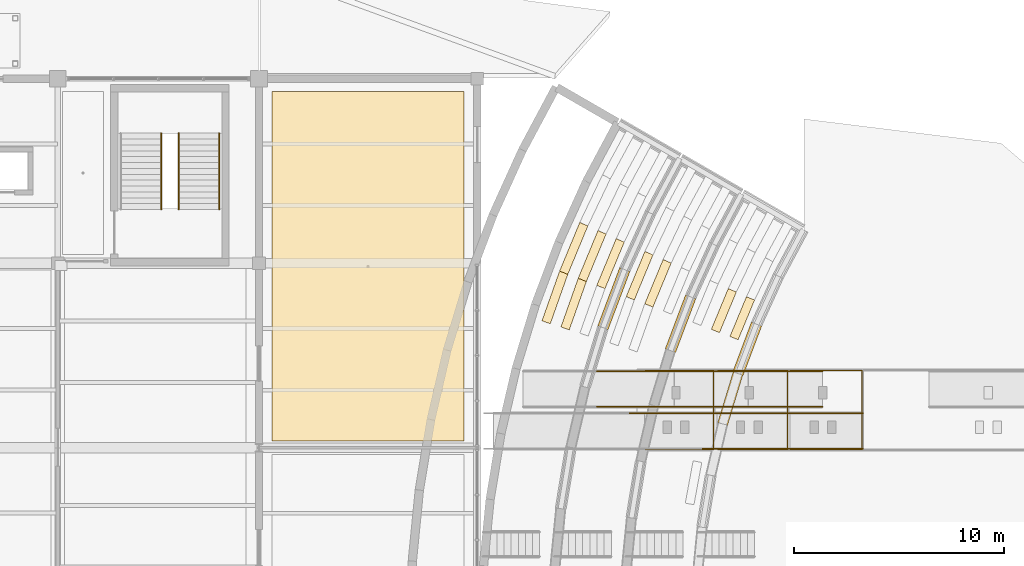
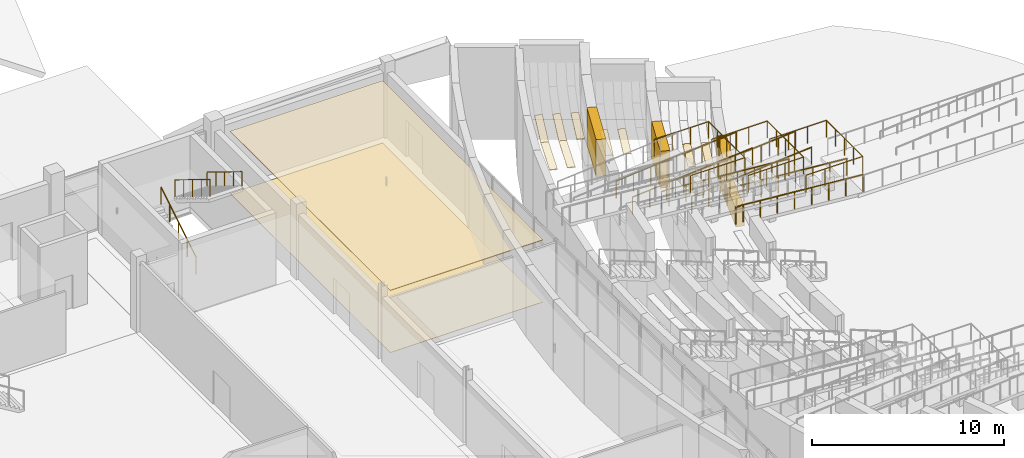
# One storey, part 114 of 116: 15 coverings, 13 railings, 5 elements without a shape of their own.
"""IFC4 building model written with IfcOpenShell, lengths in metres."""

from ifc_helpers import new_model, si_unit, direction, frame, origin, origin_2d, place, context, subcontext, project, spatial, polyline, circle, outline, extrude, material, layer, layer_set, type_object, element, aggregate, save


model = new_model("IFC4")

# Units and contexts
model_context = context("Model", 3, precision=1e-05, world=origin(), true_north=direction((0.0, 1.0)))
body_context = subcontext(model_context, "Body", "Model", "MODEL_VIEW")
ifc_project = project(units=[si_unit("LENGTHUNIT", "METRE"), si_unit("AREAUNIT", "SQUARE_METRE"), si_unit("VOLUMEUNIT", "CUBIC_METRE"), si_unit("PLANEANGLEUNIT", "RADIAN"), si_unit("MASSUNIT", "GRAM", prefix="KILO")], contexts=[model_context])

# Site, building, storey
site_placement = place(None, origin())
site = spatial("IfcSite", under=ifc_project, at=site_placement, CompositionType="ELEMENT")
building_placement = place(site_placement, origin())
building = spatial("IfcBuilding", under=site, at=building_placement, Name="Chalmorin Arch Market", CompositionType="ELEMENT")
storey_placement = place(building_placement, origin())
storey = spatial("IfcBuildingStorey", under=building, at=storey_placement, Name="L00", CompositionType="ELEMENT", Elevation=0.0)

# Covering
ifc_material_1 = material(Name="Mineral Fibre Acoustic Tile")
ifc_layer_1 = layer(ifc_material_1, 0.044921875)
ifc_layer_set_1 = layer_set([ifc_layer_1], Name="Mineral Fibre Acoustic Tile")
covering_type_1 = type_object("IfcCoveringType", Name="AcousticBaffleCeiling-45", PredefinedType="CEILING", material=ifc_layer_set_1)
covering_1_placement = place(storey_placement, frame((0.0, 0.0, 3.93505859375)))
element("IfcCovering", 1, at=covering_1_placement, inside=storey, type_object=covering_type_1, Name="CLG-01-089", PredefinedType="CEILING", context=body_context, shape_type="SweptSolid", body=[
    extrude(outline(polyline([(125.419921875, 41.52001953125), (134.580078125, 41.52001953125), (134.580078125, 58.179931640625), (125.419921875, 58.179931640625), (125.419921875, 41.52001953125)])), origin(), (0.0, 0.0, 1.0), 0.044921875),
])

# Stair, railings
ifc_material_2 = material(Name="Concrete C40/50", Category="concrete")
stair_type = type_object("IfcStairType", Name="DoglegExitStair-28R-SC4", PredefinedType="HALF_TURN_STAIR", material=ifc_material_2)
stair_placement = place(storey_placement, origin())
stair = element("IfcStair", 2, at=stair_placement, inside=storey, type_object=stair_type, Name="ST-09", PredefinedType="HALF_TURN_STAIR")
ifc_material_3 = material(Name="Stainless Steel 316", Category="steel")
ifc_layer_2 = layer(ifc_material_3, 0.048095703125)
ifc_layer_set_2 = layer_set([ifc_layer_2], Name="Stainless Steel 316")
railing_type_1 = type_object("IfcRailingType", Name="StairTubeHandrail-920", PredefinedType="HANDRAIL", material=ifc_layer_set_2)
railing_1_placement = place(storey_placement, frame((122.89990234375, 56.199951171875, 2.5712890625)))
railing_1 = element("IfcRailing", 3, at=railing_1_placement, type_object=railing_type_1, Name="HR-01-040", PredefinedType="HANDRAIL", context=body_context, shape_type="SweptSolid", body=[
    extrude(circle(Radius=0.02392578125, at=origin_2d()), frame((0.0, 0.0, 0.89599609375), z_axis=(0.0, -0.852824790078, 0.522197163366), x_axis=(1.0, 0.0, 0.0)), (0.0, 0.0, 1.0), 4.26806640625),
    extrude(circle(Radius=0.02099609375, at=origin_2d()), origin(), (0.0, 0.0, 1.0), 0.871826171875),
    extrude(circle(Radius=0.02099609375, at=origin_2d()), frame((0.0, -0.909912109375, 0.55712890625)), (0.0, 0.0, 1.0), 0.871826171875),
    extrude(circle(Radius=0.02099609375, at=origin_2d()), frame((0.0, -1.81982421875, 1.1142578125)), (0.0, 0.0, 1.0), 0.871826171875),
    extrude(circle(Radius=0.02099609375, at=origin_2d()), frame((0.0, -2.72998046875, 1.671630859375)), (0.0, 0.0, 1.0), 0.871826171875),
    extrude(circle(Radius=0.02099609375, at=origin_2d()), frame((0.0, -3.639892578125, 2.228759765625)), (0.0, 0.0, 1.0), 0.871826171875),
])
ifc_material_4 = material(Name="Galvanised Steel", Category="steel")
ifc_layer_3 = layer(ifc_material_4, 0.054931640625)
ifc_layer_set_3 = layer_set([ifc_layer_3], Name="Galvanised Steel")
railing_type_2 = type_object("IfcRailingType", Name="StairWellGuardrail-1100", PredefinedType="GUARDRAIL", material=ifc_layer_set_3)
railing_2_placement = place(storey_placement, frame((120.1298828125, 52.56005859375, 0.17138671875)))
railing_2 = element("IfcRailing", 4, at=railing_2_placement, type_object=railing_type_2, Name="SG-01-038", PredefinedType="GUARDRAIL", context=body_context, shape_type="SweptSolid", body=[
    extrude(circle(Radius=0.02392578125, at=origin_2d()), frame((0.0, 0.0, 1.076171875), z_axis=(0.0, 0.852850264322, 0.5221555579), x_axis=(-1.0, 0.0, 0.0)), (0.0, 0.0, 1.0), 4.267822265625),
    extrude(circle(Radius=0.02099609375, at=origin_2d()), origin(), (0.0, 0.0, 1.0), 1.052001953125),
    extrude(circle(Radius=0.02099609375, at=origin_2d()), frame((0.0, 0.909912109375, 0.55712890625)), (0.0, 0.0, 1.0), 1.052001953125),
    extrude(circle(Radius=0.02099609375, at=origin_2d()), frame((0.0, 1.81982421875, 1.1142578125)), (0.0, 0.0, 1.0), 1.052001953125),
    extrude(circle(Radius=0.02099609375, at=origin_2d()), frame((0.0, 2.72998046875, 1.67138671875)), (0.0, 0.0, 1.0), 1.052001953125),
    extrude(circle(Radius=0.02099609375, at=origin_2d()), frame((0.0, 3.639892578125, 2.228515625)), (0.0, 0.0, 1.0), 1.052001953125),
])
railing_3_placement = place(storey_placement, frame((120.969970703125, 56.199951171875, 2.5712890625)))
railing_3 = element("IfcRailing", 5, at=railing_3_placement, type_object=railing_type_2, Name="SG-01-039", PredefinedType="GUARDRAIL", context=body_context, shape_type="SweptSolid", body=[
    extrude(circle(Radius=0.02392578125, at=origin_2d()), frame((0.0, 0.0, 1.076171875), z_axis=(0.0, -0.852824790078, 0.522197163366), x_axis=(1.0, 0.0, 0.0)), (0.0, 0.0, 1.0), 4.26806640625),
    extrude(circle(Radius=0.02099609375, at=origin_2d()), origin(), (0.0, 0.0, 1.0), 1.052001953125),
    extrude(circle(Radius=0.02099609375, at=origin_2d()), frame((0.0, -0.909912109375, 0.55712890625)), (0.0, 0.0, 1.0), 1.052001953125),
    extrude(circle(Radius=0.02099609375, at=origin_2d()), frame((0.0, -1.81982421875, 1.1142578125)), (0.0, 0.0, 1.0), 1.052001953125),
    extrude(circle(Radius=0.02099609375, at=origin_2d()), frame((0.0, -2.72998046875, 1.671630859375)), (0.0, 0.0, 1.0), 1.052001953125),
    extrude(circle(Radius=0.02099609375, at=origin_2d()), frame((0.0, -3.639892578125, 2.228759765625)), (0.0, 0.0, 1.0), 1.052001953125),
])
aggregate(stair, [railing_2, railing_3, railing_1])

# Ramp, railings
ramp_type = type_object("IfcRampType", Name="AmphitheatreAccessibleRamp-1800", PredefinedType="HALF_TURN_RAMP", material=ifc_material_2)
ramp_1_placement = place(storey_placement, origin())
ramp_1 = element("IfcRamp", 6, at=ramp_1_placement, inside=storey, type_object=ramp_type, material=ifc_material_2, Name="RMP-02", PredefinedType="HALF_TURN_RAMP")
railing_4_placement = place(storey_placement, frame((153.59912109375, 41.159912109375, 0.60009765625)))
railing_4 = element("IfcRailing", 7, at=railing_4_placement, type_object=railing_type_2, Name="SG-01-154", PredefinedType="GUARDRAIL", context=body_context, shape_type="SweptSolid", body=[
    extrude(circle(Radius=0.02392578125, at=origin_2d()), frame((0.0, 0.0, 1.076171875), z_axis=(-0.996547622294, 0.0, 0.083023108232), x_axis=(0.0, -1.0, 0.0)), (0.0, 0.0, 1.0), 7.22509765625),
    extrude(circle(Radius=0.02392578125, at=origin_2d()), frame((-7.2001953125, 0.0, 1.67578125), z_axis=(-1.0, 0.0, 0.0), x_axis=(0.0, -1.0, 0.0)), (0.0, 0.0, 1.0), 0.449951171875),
    extrude(circle(Radius=0.02099609375, at=origin_2d()), origin(), (0.0, 0.0, 1.0), 1.052001953125),
    extrude(circle(Radius=0.02099609375, at=origin_2d()), frame((-1.028564453125, 0.0, 0.085693359375)), (0.0, 0.0, 1.0), 1.052001953125),
    extrude(circle(Radius=0.02099609375, at=origin_2d()), frame((-2.05712890625, 0.0, 0.17138671875)), (0.0, 0.0, 1.0), 1.052001953125),
    extrude(circle(Radius=0.02099609375, at=origin_2d()), frame((-3.085693359375, 0.0, 0.257080078125)), (0.0, 0.0, 1.0), 1.052001953125),
    extrude(circle(Radius=0.02099609375, at=origin_2d()), frame((-4.114501953125, 0.0, 0.3427734375)), (0.0, 0.0, 1.0), 1.052001953125),
    extrude(circle(Radius=0.02099609375, at=origin_2d()), frame((-5.14306640625, 0.0, 0.428466796875)), (0.0, 0.0, 1.0), 1.052001953125),
    extrude(circle(Radius=0.02099609375, at=origin_2d()), frame((-6.171630859375, 0.0, 0.51416015625)), (0.0, 0.0, 1.0), 1.052001953125),
    extrude(circle(Radius=0.02099609375, at=origin_2d()), frame((-7.2001953125, 0.0, 0.599853515625)), (0.0, 0.0, 1.0), 1.052001953125),
    extrude(circle(Radius=0.02099609375, at=origin_2d()), frame((-7.650146484375, 0.0, 0.599853515625)), (0.0, 0.0, 1.0), 1.052001953125),
])
railing_5_placement = place(storey_placement, frame((153.59912109375, 42.840087890625, 0.60009765625)))
railing_5 = element("IfcRailing", 8, at=railing_5_placement, type_object=railing_type_2, Name="SG-01-156", PredefinedType="GUARDRAIL", context=body_context, shape_type="SweptSolid", body=[
    extrude(circle(Radius=0.02392578125, at=origin_2d()), frame((0.0, 0.0, 1.076171875), z_axis=(-0.996547622294, 0.0, 0.083023108232), x_axis=(0.0, -1.0, 0.0)), (0.0, 0.0, 1.0), 7.22509765625),
    extrude(circle(Radius=0.02392578125, at=origin_2d()), frame((-7.2001953125, 0.0, 1.67578125), z_axis=(-1.0, 0.0, 0.0), x_axis=(0.0, -1.0, 0.0)), (0.0, 0.0, 1.0), 0.449951171875),
    extrude(circle(Radius=0.02099609375, at=origin_2d()), origin(), (0.0, 0.0, 1.0), 1.052001953125),
    extrude(circle(Radius=0.02099609375, at=origin_2d()), frame((-1.028564453125, 0.0, 0.085693359375)), (0.0, 0.0, 1.0), 1.052001953125),
    extrude(circle(Radius=0.02099609375, at=origin_2d()), frame((-2.05712890625, 0.0, 0.17138671875)), (0.0, 0.0, 1.0), 1.052001953125),
    extrude(circle(Radius=0.02099609375, at=origin_2d()), frame((-3.085693359375, 0.0, 0.257080078125)), (0.0, 0.0, 1.0), 1.052001953125),
    extrude(circle(Radius=0.02099609375, at=origin_2d()), frame((-4.114501953125, 0.0, 0.3427734375)), (0.0, 0.0, 1.0), 1.052001953125),
    extrude(circle(Radius=0.02099609375, at=origin_2d()), frame((-5.14306640625, 0.0, 0.428466796875)), (0.0, 0.0, 1.0), 1.052001953125),
    extrude(circle(Radius=0.02099609375, at=origin_2d()), frame((-6.171630859375, 0.0, 0.51416015625)), (0.0, 0.0, 1.0), 1.052001953125),
    extrude(circle(Radius=0.02099609375, at=origin_2d()), frame((-7.2001953125, 0.0, 0.599853515625)), (0.0, 0.0, 1.0), 1.052001953125),
    extrude(circle(Radius=0.02099609375, at=origin_2d()), frame((-7.650146484375, 0.0, 0.599853515625)), (0.0, 0.0, 1.0), 1.052001953125),
])
aggregate(ramp_1, [railing_4, railing_5])

ramp_2_placement = place(storey_placement, origin())
ramp_2 = element("IfcRamp", 9, at=ramp_2_placement, inside=storey, type_object=ramp_type, material=ifc_material_2, Name="RMP-04", PredefinedType="HALF_TURN_RAMP")
railing_6_placement = place(storey_placement, frame((150.14501953125, 41.110107421875, 1.800048828125)))
railing_6 = element("IfcRailing", 10, at=railing_6_placement, type_object=railing_type_2, Name="SG-01-162", PredefinedType="GUARDRAIL", context=body_context, shape_type="SweptSolid", body=[
    extrude(circle(Radius=0.02392578125, at=origin_2d()), frame((0.0, 0.0, 1.076171875), z_axis=(1.0, 0.0, 0.0), x_axis=(0.0, 1.0, 0.0)), (0.0, 0.0, 1.0), 3.407958984375),
    extrude(circle(Radius=0.02392578125, at=origin_2d()), frame((3.407958984375, 0.0, 1.076171875), z_axis=(0.0, 1.0, 0.0), x_axis=(-1.0, 0.0, 0.0)), (0.0, 0.0, 1.0), 3.77978515625),
    extrude(circle(Radius=0.02392578125, at=origin_2d()), frame((3.407958984375, 3.77978515625, 1.076171875), z_axis=(-1.0, 0.0, 0.0), x_axis=(0.0, -1.0, 0.0)), (0.0, 0.0, 1.0), 3.407958984375),
    extrude(circle(Radius=0.02099609375, at=origin_2d()), origin(), (0.0, 0.0, 1.0), 1.052001953125),
    extrude(circle(Radius=0.02099609375, at=origin_2d()), frame((1.135986328125, 0.0, 0.0)), (0.0, 0.0, 1.0), 1.052001953125),
    extrude(circle(Radius=0.02099609375, at=origin_2d()), frame((2.27197265625, 0.0, 0.0)), (0.0, 0.0, 1.0), 1.052001953125),
    extrude(circle(Radius=0.02099609375, at=origin_2d()), frame((3.407958984375, 0.0, 0.0)), (0.0, 0.0, 1.0), 1.052001953125),
    extrude(circle(Radius=0.02099609375, at=origin_2d()), frame((3.407958984375, 0.94482421875, 0.0)), (0.0, 0.0, 1.0), 1.052001953125),
    extrude(circle(Radius=0.02099609375, at=origin_2d()), frame((3.407958984375, 1.889892578125, 0.0)), (0.0, 0.0, 1.0), 1.052001953125),
    extrude(circle(Radius=0.02099609375, at=origin_2d()), frame((3.407958984375, 2.8349609375, 0.0)), (0.0, 0.0, 1.0), 1.052001953125),
    extrude(circle(Radius=0.02099609375, at=origin_2d()), frame((3.407958984375, 3.77978515625, 0.0)), (0.0, 0.0, 1.0), 1.052001953125),
    extrude(circle(Radius=0.02099609375, at=origin_2d()), frame((2.27197265625, 3.77978515625, 0.0)), (0.0, 0.0, 1.0), 1.052001953125),
    extrude(circle(Radius=0.02099609375, at=origin_2d()), frame((1.135986328125, 3.77978515625, 0.0)), (0.0, 0.0, 1.0), 1.052001953125),
    extrude(circle(Radius=0.02099609375, at=origin_2d()), frame((0.0, 3.77978515625, 0.0)), (0.0, 0.0, 1.0), 1.052001953125),
])
railing_7_placement = place(storey_placement, frame((144.462890625, 43.159912109375, 1.199951171875)))
railing_7 = element("IfcRailing", 11, at=railing_7_placement, type_object=railing_type_2, Name="SG-01-163", PredefinedType="GUARDRAIL", context=body_context, shape_type="SweptSolid", body=[
    extrude(circle(Radius=0.02392578125, at=origin_2d()), frame((0.0, 0.0, 1.076171875), z_axis=(0.996544826035, 0.0, 0.083056665618), x_axis=(0.0, 1.0, 0.0)), (0.0, 0.0, 1.0), 7.22509765625),
    extrude(circle(Radius=0.02099609375, at=origin_2d()), origin(), (0.0, 0.0, 1.0), 1.052001953125),
    extrude(circle(Radius=0.02099609375, at=origin_2d()), frame((1.028564453125, 0.0, 0.085693359375)), (0.0, 0.0, 1.0), 1.052001953125),
    extrude(circle(Radius=0.02099609375, at=origin_2d()), frame((2.05712890625, 0.0, 0.17138671875)), (0.0, 0.0, 1.0), 1.052001953125),
    extrude(circle(Radius=0.02099609375, at=origin_2d()), frame((3.085693359375, 0.0, 0.257080078125)), (0.0, 0.0, 1.0), 1.052001953125),
    extrude(circle(Radius=0.02099609375, at=origin_2d()), frame((4.114501953125, 0.0, 0.343017578125)), (0.0, 0.0, 1.0), 1.052001953125),
    extrude(circle(Radius=0.02099609375, at=origin_2d()), frame((5.14306640625, 0.0, 0.4287109375)), (0.0, 0.0, 1.0), 1.052001953125),
    extrude(circle(Radius=0.02099609375, at=origin_2d()), frame((6.171630859375, 0.0, 0.514404296875)), (0.0, 0.0, 1.0), 1.052001953125),
    extrude(circle(Radius=0.02099609375, at=origin_2d()), frame((7.2001953125, 0.0, 0.60009765625)), (0.0, 0.0, 1.0), 1.052001953125),
])
railing_8_placement = place(storey_placement, frame((144.462890625, 44.840087890625, 1.199951171875)))
railing_8 = element("IfcRailing", 12, at=railing_8_placement, type_object=railing_type_2, Name="SG-01-165", PredefinedType="GUARDRAIL", context=body_context, shape_type="SweptSolid", body=[
    extrude(circle(Radius=0.02392578125, at=origin_2d()), frame((0.0, 0.0, 1.076171875), z_axis=(0.996544826035, 0.0, 0.083056665618), x_axis=(0.0, 1.0, 0.0)), (0.0, 0.0, 1.0), 7.22509765625),
    extrude(circle(Radius=0.02099609375, at=origin_2d()), origin(), (0.0, 0.0, 1.0), 1.052001953125),
    extrude(circle(Radius=0.02099609375, at=origin_2d()), frame((1.028564453125, 0.0, 0.085693359375)), (0.0, 0.0, 1.0), 1.052001953125),
    extrude(circle(Radius=0.02099609375, at=origin_2d()), frame((2.05712890625, 0.0, 0.17138671875)), (0.0, 0.0, 1.0), 1.052001953125),
    extrude(circle(Radius=0.02099609375, at=origin_2d()), frame((3.085693359375, 0.0, 0.257080078125)), (0.0, 0.0, 1.0), 1.052001953125),
    extrude(circle(Radius=0.02099609375, at=origin_2d()), frame((4.114501953125, 0.0, 0.343017578125)), (0.0, 0.0, 1.0), 1.052001953125),
    extrude(circle(Radius=0.02099609375, at=origin_2d()), frame((5.14306640625, 0.0, 0.4287109375)), (0.0, 0.0, 1.0), 1.052001953125),
    extrude(circle(Radius=0.02099609375, at=origin_2d()), frame((6.171630859375, 0.0, 0.514404296875)), (0.0, 0.0, 1.0), 1.052001953125),
    extrude(circle(Radius=0.02099609375, at=origin_2d()), frame((7.2001953125, 0.0, 0.60009765625)), (0.0, 0.0, 1.0), 1.052001953125),
])
railing_9_placement = place(storey_placement, frame((150.114990234375, 42.840087890625, 1.800048828125)))
railing_9 = element("IfcRailing", 13, at=railing_9_placement, type_object=railing_type_2, Name="SG-01-166", PredefinedType="GUARDRAIL", context=body_context, shape_type="SweptSolid", body=[
    extrude(circle(Radius=0.02392578125, at=origin_2d()), frame((0.0, 0.0, 1.076171875), z_axis=(-0.99654738937, 0.0, 0.083025904028), x_axis=(0.0, -1.0, 0.0)), (0.0, 0.0, 1.0), 7.224853515625),
    extrude(circle(Radius=0.02392578125, at=origin_2d()), frame((-7.199951171875, 0.0, 1.67578125), z_axis=(-1.0, 0.0, 0.0), x_axis=(0.0, -1.0, 0.0)), (0.0, 0.0, 1.0), 0.449951171875),
    extrude(circle(Radius=0.02099609375, at=origin_2d()), origin(), (0.0, 0.0, 1.0), 1.052001953125),
    extrude(circle(Radius=0.02099609375, at=origin_2d()), frame((-1.028564453125, 0.0, 0.085693359375)), (0.0, 0.0, 1.0), 1.052001953125),
    extrude(circle(Radius=0.02099609375, at=origin_2d()), frame((-2.05712890625, 0.0, 0.17138671875)), (0.0, 0.0, 1.0), 1.052001953125),
    extrude(circle(Radius=0.02099609375, at=origin_2d()), frame((-3.085693359375, 0.0, 0.257080078125)), (0.0, 0.0, 1.0), 1.052001953125),
    extrude(circle(Radius=0.02099609375, at=origin_2d()), frame((-4.1142578125, 0.0, 0.3427734375)), (0.0, 0.0, 1.0), 1.052001953125),
    extrude(circle(Radius=0.02099609375, at=origin_2d()), frame((-5.142822265625, 0.0, 0.428466796875)), (0.0, 0.0, 1.0), 1.052001953125),
    extrude(circle(Radius=0.02099609375, at=origin_2d()), frame((-6.17138671875, 0.0, 0.51416015625)), (0.0, 0.0, 1.0), 1.052001953125),
    extrude(circle(Radius=0.02099609375, at=origin_2d()), frame((-7.199951171875, 0.0, 0.599853515625)), (0.0, 0.0, 1.0), 1.052001953125),
    extrude(circle(Radius=0.02099609375, at=origin_2d()), frame((-7.64990234375, 0.0, 0.599853515625)), (0.0, 0.0, 1.0), 1.052001953125),
])
aggregate(ramp_2, [railing_6, railing_7, railing_8, railing_9])

ramp_3_placement = place(storey_placement, origin())
ramp_3 = element("IfcRamp", 14, at=ramp_3_placement, inside=storey, type_object=ramp_type, material=ifc_material_2, Name="RMP-06", PredefinedType="HALF_TURN_RAMP")
railing_10_placement = place(storey_placement, frame((146.675048828125, 41.110107421875, 3.0)))
railing_10 = element("IfcRailing", 15, at=railing_10_placement, type_object=railing_type_2, Name="SG-01-172", PredefinedType="GUARDRAIL", context=body_context, shape_type="SweptSolid", body=[
    extrude(circle(Radius=0.02392578125, at=origin_2d()), frame((0.0, 0.0, 1.076171875), z_axis=(1.0, 0.0, 0.0), x_axis=(0.0, 1.0, 0.0)), (0.0, 0.0, 1.0), 3.327880859375),
    extrude(circle(Radius=0.02392578125, at=origin_2d()), frame((3.327880859375, 0.0, 1.076171875), z_axis=(0.0, 1.0, 0.0), x_axis=(-1.0, 0.0, 0.0)), (0.0, 0.0, 1.0), 3.77978515625),
    extrude(circle(Radius=0.02392578125, at=origin_2d()), frame((3.327880859375, 3.77978515625, 1.076171875), z_axis=(-1.0, 0.0, 0.0), x_axis=(0.0, -1.0, 0.0)), (0.0, 0.0, 1.0), 3.327880859375),
    extrude(circle(Radius=0.02099609375, at=origin_2d()), origin(), (0.0, 0.0, 1.0), 1.052001953125),
    extrude(circle(Radius=0.02099609375, at=origin_2d()), frame((1.109375, 0.0, 0.0)), (0.0, 0.0, 1.0), 1.052001953125),
    extrude(circle(Radius=0.02099609375, at=origin_2d()), frame((2.218505859375, 0.0, 0.0)), (0.0, 0.0, 1.0), 1.052001953125),
    extrude(circle(Radius=0.02099609375, at=origin_2d()), frame((3.327880859375, 0.0, 0.0)), (0.0, 0.0, 1.0), 1.052001953125),
    extrude(circle(Radius=0.02099609375, at=origin_2d()), frame((3.327880859375, 0.94482421875, 0.0)), (0.0, 0.0, 1.0), 1.052001953125),
    extrude(circle(Radius=0.02099609375, at=origin_2d()), frame((3.327880859375, 1.889892578125, 0.0)), (0.0, 0.0, 1.0), 1.052001953125),
    extrude(circle(Radius=0.02099609375, at=origin_2d()), frame((3.327880859375, 2.8349609375, 0.0)), (0.0, 0.0, 1.0), 1.052001953125),
    extrude(circle(Radius=0.02099609375, at=origin_2d()), frame((3.327880859375, 3.77978515625, 0.0)), (0.0, 0.0, 1.0), 1.052001953125),
    extrude(circle(Radius=0.02099609375, at=origin_2d()), frame((2.218505859375, 3.77978515625, 0.0)), (0.0, 0.0, 1.0), 1.052001953125),
    extrude(circle(Radius=0.02099609375, at=origin_2d()), frame((1.109375, 3.77978515625, 0.0)), (0.0, 0.0, 1.0), 1.052001953125),
    extrude(circle(Radius=0.02099609375, at=origin_2d()), frame((0.0, 3.77978515625, 0.0)), (0.0, 0.0, 1.0), 1.052001953125),
])
railing_11_placement = place(storey_placement, frame((140.9130859375, 43.159912109375, 2.39990234375)))
railing_11 = element("IfcRailing", 16, at=railing_11_placement, type_object=railing_type_2, Name="SG-01-173", PredefinedType="GUARDRAIL", context=body_context, shape_type="SweptSolid", body=[
    extrude(circle(Radius=0.02392578125, at=origin_2d()), frame((0.0, 0.0, 1.076171875), z_axis=(0.996544592923, 0.0, 0.083059462528), x_axis=(0.0, 1.0, 0.0)), (0.0, 0.0, 1.0), 7.224853515625),
    extrude(circle(Radius=0.02099609375, at=origin_2d()), origin(), (0.0, 0.0, 1.0), 1.052001953125),
    extrude(circle(Radius=0.02099609375, at=origin_2d()), frame((1.028564453125, 0.0, 0.085693359375)), (0.0, 0.0, 1.0), 1.052001953125),
    extrude(circle(Radius=0.02099609375, at=origin_2d()), frame((2.05712890625, 0.0, 0.17138671875)), (0.0, 0.0, 1.0), 1.052001953125),
    extrude(circle(Radius=0.02099609375, at=origin_2d()), frame((3.085693359375, 0.0, 0.257080078125)), (0.0, 0.0, 1.0), 1.052001953125),
    extrude(circle(Radius=0.02099609375, at=origin_2d()), frame((4.1142578125, 0.0, 0.343017578125)), (0.0, 0.0, 1.0), 1.052001953125),
    extrude(circle(Radius=0.02099609375, at=origin_2d()), frame((5.142822265625, 0.0, 0.4287109375)), (0.0, 0.0, 1.0), 1.052001953125),
    extrude(circle(Radius=0.02099609375, at=origin_2d()), frame((6.17138671875, 0.0, 0.514404296875)), (0.0, 0.0, 1.0), 1.052001953125),
    extrude(circle(Radius=0.02099609375, at=origin_2d()), frame((7.199951171875, 0.0, 0.60009765625)), (0.0, 0.0, 1.0), 1.052001953125),
])
railing_12_placement = place(storey_placement, frame((140.9130859375, 44.840087890625, 2.39990234375)))
railing_12 = element("IfcRailing", 17, at=railing_12_placement, type_object=railing_type_2, Name="SG-01-175", PredefinedType="GUARDRAIL", context=body_context, shape_type="SweptSolid", body=[
    extrude(circle(Radius=0.02392578125, at=origin_2d()), frame((0.0, 0.0, 1.076171875), z_axis=(0.996544592923, 0.0, 0.083059462528), x_axis=(0.0, 1.0, 0.0)), (0.0, 0.0, 1.0), 7.224853515625),
    extrude(circle(Radius=0.02099609375, at=origin_2d()), origin(), (0.0, 0.0, 1.0), 1.052001953125),
    extrude(circle(Radius=0.02099609375, at=origin_2d()), frame((1.028564453125, 0.0, 0.085693359375)), (0.0, 0.0, 1.0), 1.052001953125),
    extrude(circle(Radius=0.02099609375, at=origin_2d()), frame((2.05712890625, 0.0, 0.17138671875)), (0.0, 0.0, 1.0), 1.052001953125),
    extrude(circle(Radius=0.02099609375, at=origin_2d()), frame((3.085693359375, 0.0, 0.257080078125)), (0.0, 0.0, 1.0), 1.052001953125),
    extrude(circle(Radius=0.02099609375, at=origin_2d()), frame((4.1142578125, 0.0, 0.343017578125)), (0.0, 0.0, 1.0), 1.052001953125),
    extrude(circle(Radius=0.02099609375, at=origin_2d()), frame((5.142822265625, 0.0, 0.4287109375)), (0.0, 0.0, 1.0), 1.052001953125),
    extrude(circle(Radius=0.02099609375, at=origin_2d()), frame((6.17138671875, 0.0, 0.514404296875)), (0.0, 0.0, 1.0), 1.052001953125),
    extrude(circle(Radius=0.02099609375, at=origin_2d()), frame((7.199951171875, 0.0, 0.60009765625)), (0.0, 0.0, 1.0), 1.052001953125),
])
aggregate(ramp_3, [railing_10, railing_11, railing_12])

# Ramp, railing
ramp_4_placement = place(storey_placement, origin())
ramp_4 = element("IfcRamp", 18, at=ramp_4_placement, inside=storey, type_object=ramp_type, material=ifc_material_2, Name="RMP-08", PredefinedType="HALF_TURN_RAMP")
railing_13_placement = place(storey_placement, frame((143.215087890625, 41.110107421875, 4.199951171875)))
railing_13 = element("IfcRailing", 19, at=railing_13_placement, type_object=railing_type_2, Name="SG-01-182", PredefinedType="GUARDRAIL", context=body_context, shape_type="SweptSolid", body=[
    extrude(circle(Radius=0.02392578125, at=origin_2d()), frame((0.0, 0.0, 1.076171875), z_axis=(1.0, 0.0, 0.0), x_axis=(0.0, 1.0, 0.0)), (0.0, 0.0, 1.0), 3.260009765625),
    extrude(circle(Radius=0.02392578125, at=origin_2d()), frame((3.260009765625, 0.0, 1.076171875), z_axis=(0.0, 1.0, 0.0), x_axis=(-1.0, 0.0, 0.0)), (0.0, 0.0, 1.0), 3.77978515625),
    extrude(circle(Radius=0.02392578125, at=origin_2d()), frame((3.260009765625, 3.77978515625, 1.076171875), z_axis=(-1.0, 0.0, 0.0), x_axis=(0.0, -1.0, 0.0)), (0.0, 0.0, 1.0), 3.260009765625),
    extrude(circle(Radius=0.02099609375, at=origin_2d()), origin(), (0.0, 0.0, 1.0), 1.052001953125),
    extrude(circle(Radius=0.02099609375, at=origin_2d()), frame((1.086669921875, 0.0, 0.0)), (0.0, 0.0, 1.0), 1.052001953125),
    extrude(circle(Radius=0.02099609375, at=origin_2d()), frame((2.17333984375, 0.0, 0.0)), (0.0, 0.0, 1.0), 1.052001953125),
    extrude(circle(Radius=0.02099609375, at=origin_2d()), frame((3.260009765625, 0.0, 0.0)), (0.0, 0.0, 1.0), 1.052001953125),
    extrude(circle(Radius=0.02099609375, at=origin_2d()), frame((3.260009765625, 0.94482421875, 0.0)), (0.0, 0.0, 1.0), 1.052001953125),
    extrude(circle(Radius=0.02099609375, at=origin_2d()), frame((3.260009765625, 1.889892578125, 0.0)), (0.0, 0.0, 1.0), 1.052001953125),
    extrude(circle(Radius=0.02099609375, at=origin_2d()), frame((3.260009765625, 2.8349609375, 0.0)), (0.0, 0.0, 1.0), 1.052001953125),
    extrude(circle(Radius=0.02099609375, at=origin_2d()), frame((3.260009765625, 3.77978515625, 0.0)), (0.0, 0.0, 1.0), 1.052001953125),
    extrude(circle(Radius=0.02099609375, at=origin_2d()), frame((2.17333984375, 3.77978515625, 0.0)), (0.0, 0.0, 1.0), 1.052001953125),
    extrude(circle(Radius=0.02099609375, at=origin_2d()), frame((1.086669921875, 3.77978515625, 0.0)), (0.0, 0.0, 1.0), 1.052001953125),
    extrude(circle(Radius=0.02099609375, at=origin_2d()), frame((0.0, 3.77978515625, 0.0)), (0.0, 0.0, 1.0), 1.052001953125),
])
aggregate(ramp_4, [railing_13])

# Coverings
ifc_material_5 = material(Name="Polished Terrazzo")
ifc_layer_4 = layer(ifc_material_5, 0.02490234375)
ifc_layer_set_4 = layer_set([ifc_layer_4], Name="Polished Terrazzo")
covering_type_2 = type_object("IfcCoveringType", Name="TerrazzoMarketFloorFinish-25", PredefinedType="FLOORING", material=ifc_layer_set_4)
covering_2_placement = place(storey_placement, origin())
element("IfcCovering", 20, at=covering_2_placement, inside=storey, type_object=covering_type_2, Name="FLR-01-088", PredefinedType="FLOORING", context=body_context, shape_type="SweptSolid", body=[
    extrude(outline(polyline([(125.419921875, 41.52001953125), (134.580078125, 41.52001953125), (134.580078125, 58.179931640625), (125.419921875, 58.179931640625), (125.419921875, 41.52001953125)])), origin(), (0.0, 0.0, 1.0), 0.02490234375),
])
ifc_material_6 = material(Name="Planted Green Roof Turf")
ifc_layer_5 = layer(ifc_material_6, 0.044921875)
ifc_layer_set_5 = layer_set([ifc_layer_5], Name="Planted Green Roof Turf")
covering_type_3 = type_object("IfcCoveringType", Name="VegetatedMoundTurfStrip-45", PredefinedType="ROOFING", material=ifc_layer_set_5)
covering_3_placement = place(storey_placement, frame((0.0, 0.0, 1.199951171875)))
element("IfcCovering", 21, at=covering_3_placement, inside=storey, type_object=covering_type_3, Name="VMT-45-036", PredefinedType="ROOFING", context=body_context, shape_type="SweptSolid", body=[
    extrude(outline(polyline([(148.041015625, 48.404296875), (147.256103515625, 46.510498046875), (147.64404296875, 46.349609375), (148.428955078125, 48.24365234375), (148.041015625, 48.404296875)])), origin(), (0.0, 0.0, 1.0), 0.045166015625),
])
covering_4_placement = place(storey_placement, frame((0.0, 0.0, 1.199951171875)))
element("IfcCovering", 22, at=covering_4_placement, inside=storey, type_object=covering_type_3, Name="VMT-45-046", PredefinedType="ROOFING", context=body_context, shape_type="SweptSolid", body=[
    extrude(outline(polyline([(147.173095703125, 48.790283203125), (146.368896484375, 46.851318359375), (146.757080078125, 46.690673828125), (147.56103515625, 48.629638671875), (147.173095703125, 48.790283203125)])), origin(), (0.0, 0.0, 1.0), 0.045166015625),
])
covering_5_placement = place(storey_placement, frame((0.0, 0.0, 2.39990234375)))
element("IfcCovering", 23, at=covering_5_placement, inside=storey, type_object=covering_type_3, Name="VMT-45-070", PredefinedType="ROOFING", context=body_context, shape_type="SweptSolid", body=[
    extrude(outline(polyline([(144.06689453125, 50.17333984375), (143.195068359375, 48.0693359375), (143.5830078125, 47.90869140625), (144.455078125, 50.0126953125), (144.06689453125, 50.17333984375)])), origin(), (0.0, 0.0, 1.0), 0.045166015625),
])
covering_6_placement = place(storey_placement, frame((0.0, 0.0, 2.39990234375)))
element("IfcCovering", 24, at=covering_6_placement, inside=storey, type_object=covering_type_3, Name="VMT-45-080", PredefinedType="ROOFING", context=body_context, shape_type="SweptSolid", body=[
    extrude(outline(polyline([(143.198974609375, 50.559326171875), (142.30810546875, 48.409423828125), (142.696044921875, 48.24853515625), (143.5869140625, 50.398681640625), (143.198974609375, 50.559326171875)])), origin(), (0.0, 0.0, 1.0), 0.045166015625),
])
covering_7_placement = place(storey_placement, frame((0.0, 0.0, 3.60009765625)))
element("IfcCovering", 25, at=covering_7_placement, inside=storey, type_object=covering_type_3, Name="VMT-45-090", PredefinedType="ROOFING", context=body_context, shape_type="SweptSolid", body=[
    extrude(outline(polyline([(141.8291015625, 51.17041015625), (140.907958984375, 48.947509765625), (141.2958984375, 48.78662109375), (142.217041015625, 51.009521484375), (141.8291015625, 51.17041015625)])), origin(), (0.0, 0.0, 1.0), 0.044921875),
])
covering_8_placement = place(storey_placement, frame((0.0, 0.0, 3.60009765625)))
element("IfcCovering", 26, at=covering_8_placement, inside=storey, type_object=covering_type_3, Name="VMT-45-100", PredefinedType="ROOFING", context=body_context, shape_type="SweptSolid", body=[
    extrude(outline(polyline([(140.9609375, 51.556396484375), (140.02099609375, 49.287353515625), (140.408935546875, 49.126708984375), (141.34912109375, 51.3955078125), (140.9609375, 51.556396484375)])), origin(), (0.0, 0.0, 1.0), 0.044921875),
])
covering_9_placement = place(storey_placement, frame((0.0, 0.0, 3.60009765625)))
element("IfcCovering", 27, at=covering_9_placement, inside=storey, type_object=covering_type_3, Name="VMT-45-101", PredefinedType="ROOFING", context=body_context, shape_type="SweptSolid", body=[
    extrude(outline(polyline([(140.01708984375, 49.277099609375), (139.197021484375, 46.963134765625), (139.593017578125, 46.822998046875), (140.412841796875, 49.136962890625), (140.01708984375, 49.277099609375)])), origin(), (0.0, 0.0, 1.0), 0.044921875),
])
covering_10_placement = place(storey_placement, frame((0.0, 0.0, 3.60009765625)))
element("IfcCovering", 28, at=covering_10_placement, inside=storey, type_object=covering_type_3, Name="VMT-45-110", PredefinedType="ROOFING", context=body_context, shape_type="SweptSolid", body=[
    extrude(outline(polyline([(140.093017578125, 51.9423828125), (139.134033203125, 49.62841796875), (139.52197265625, 49.467529296875), (140.48095703125, 51.781494140625), (140.093017578125, 51.9423828125)])), origin(), (0.0, 0.0, 1.0), 0.044921875),
])
covering_11_placement = place(storey_placement, frame((0.0, 0.0, 3.60009765625)))
element("IfcCovering", 29, at=covering_11_placement, inside=storey, type_object=covering_type_3, Name="VMT-45-111", PredefinedType="ROOFING", context=body_context, shape_type="SweptSolid", body=[
    extrude(outline(polyline([(139.1298828125, 49.6181640625), (138.2939453125, 47.256103515625), (138.68994140625, 47.115966796875), (139.52587890625, 49.477783203125), (139.1298828125, 49.6181640625)])), origin(), (0.0, 0.0, 1.0), 0.044921875),
])
ifc_material_7 = material(Name="Precast concrete C40/50", Category="concrete")
ifc_layer_6 = layer(ifc_material_7, 0.054931640625)
ifc_layer_set_6 = layer_set([ifc_layer_6], Name="Precast concrete C40/50")
covering_type_4 = type_object("IfcCoveringType", Name="WhiteArchitecturalPrecastCladding-55", PredefinedType="CLADDING", material=ifc_layer_set_6)
covering_12_placement = place(storey_placement, frame((0.0, 0.0, 0.010009765625)))
element("IfcCovering", 30, at=covering_12_placement, inside=storey, type_object=covering_type_4, Name="WPC-55-003", PredefinedType="CLADDING", context=body_context, shape_type="SweptSolid", body=[
    extrude(outline(polyline([(148.27978515625, 47.1865234375), (147.394775390625, 44.834716796875), (147.88134765625, 44.6513671875), (148.766357421875, 47.00341796875), (148.27978515625, 47.1865234375)])), origin(), (0.0, 0.0, 1.0), 2.35009765625),
])
covering_13_placement = place(storey_placement, frame((0.0, 0.0, 0.010009765625)))
element("IfcCovering", 31, at=covering_13_placement, inside=storey, type_object=covering_type_4, Name="WPC-55-004", PredefinedType="CLADDING", context=body_context, shape_type="SweptSolid", body=[
    extrude(outline(polyline([(147.408447265625, 44.812744140625), (146.678466796875, 42.40869140625), (147.1376953125, 42.269287109375), (147.86767578125, 44.67333984375), (147.408447265625, 44.812744140625)])), origin(), (0.0, 0.0, 1.0), 1.179931640625),
])
covering_14_placement = place(storey_placement, frame((0.0, 0.0, 1.2099609375)))
element("IfcCovering", 32, at=covering_14_placement, inside=storey, type_object=covering_type_4, Name="WPC-55-019", PredefinedType="CLADDING", context=body_context, shape_type="SweptSolid", body=[
    extrude(outline(polyline([(145.138671875, 48.487548828125), (144.1748046875, 45.927490234375), (144.661376953125, 45.744384765625), (145.625244140625, 48.304443359375), (145.138671875, 48.487548828125)])), origin(), (0.0, 0.0, 1.0), 2.35009765625),
])
covering_15_placement = place(storey_placement, frame((0.0, 0.0, 2.409912109375)))
element("IfcCovering", 33, at=covering_15_placement, inside=storey, type_object=covering_type_4, Name="WPC-55-035", PredefinedType="CLADDING", context=body_context, shape_type="SweptSolid", body=[
    extrude(outline(polyline([(141.997802734375, 49.78857421875), (140.955810546875, 47.0205078125), (141.4423828125, 46.83740234375), (142.484375, 49.60546875), (141.997802734375, 49.78857421875)])), origin(), (0.0, 0.0, 1.0), 2.35009765625),
])

save(model, "model.ifc")
